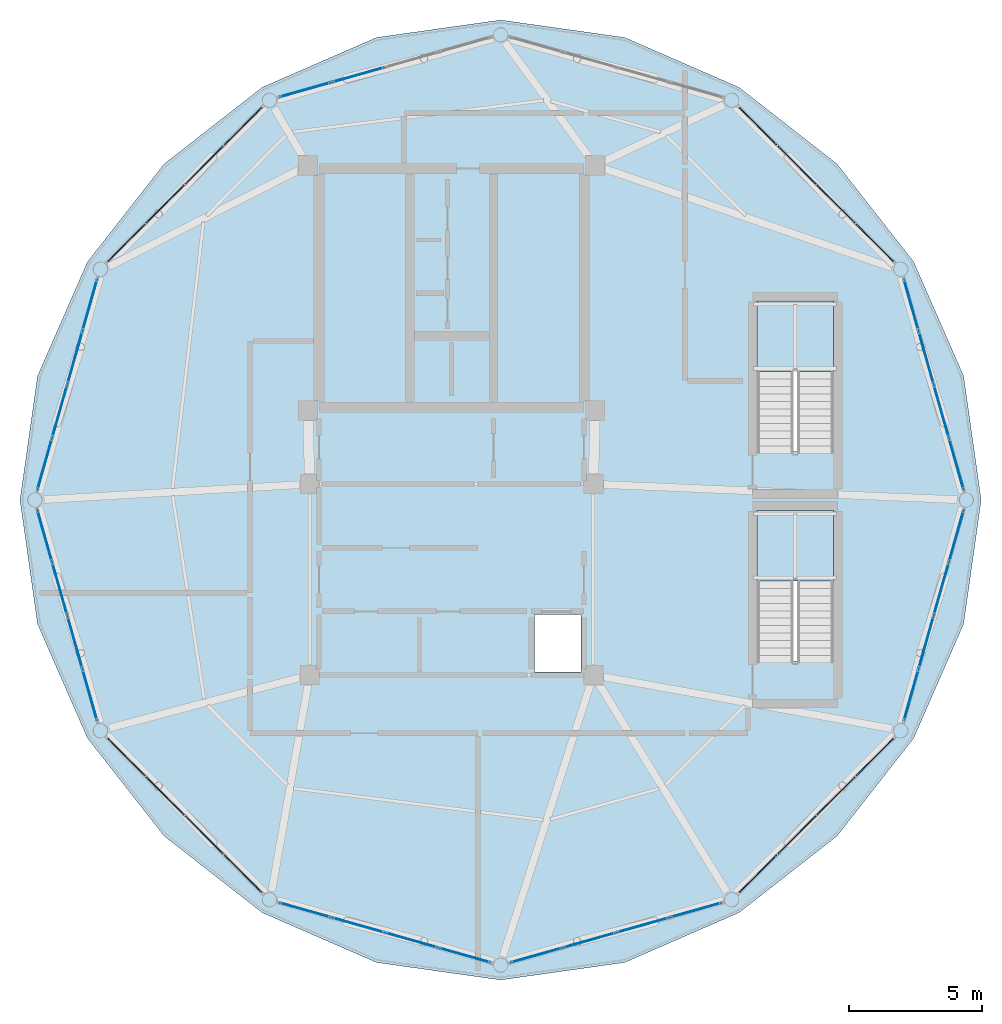
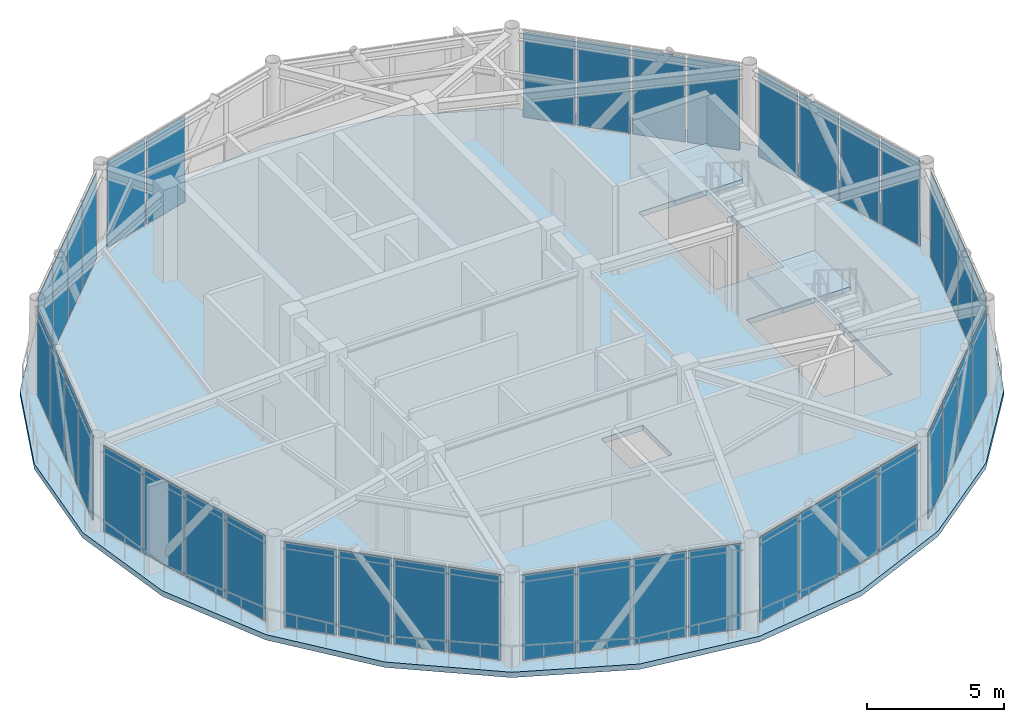
# One storey, part 16 of 21: 42 plates, 3 slabs, 13 elements without a shape of their own.
"""IFC4 building model written with IfcOpenShell, lengths in metres."""

from ifc_helpers import new_model, si_unit, direction, frame, origin, origin_2d, place, context, subcontext, project, spatial, polyline, rectangle, outline, extrude, source, transform, mapped, material, layer, layer_set, type_object, type_shapes, element, aggregate, save


model = new_model("IFC4")

# Units and contexts
model_context = context("Model", 3, precision=1e-05, world=origin(), true_north=direction((0.0, 1.0)))
body_context = subcontext(model_context, "Body", "Model", "MODEL_VIEW")
ifc_project = project(units=[si_unit("LENGTHUNIT", "METRE"), si_unit("AREAUNIT", "SQUARE_METRE"), si_unit("VOLUMEUNIT", "CUBIC_METRE"), si_unit("PLANEANGLEUNIT", "RADIAN"), si_unit("MASSUNIT", "GRAM", prefix="KILO")], contexts=[model_context])

# Site, building, storey
site_placement = place(None, origin())
site = spatial("IfcSite", under=ifc_project, at=site_placement, CompositionType="ELEMENT")
building_placement = place(site_placement, origin())
building = spatial("IfcBuilding", under=site, at=building_placement, Name="Varnakorn Sky Granary", CompositionType="ELEMENT")
storey_placement = place(building_placement, frame((0.0, 0.0, 298.199951171875)))
storey = spatial("IfcBuildingStorey", under=building, at=storey_placement, Name="L76", CompositionType="ELEMENT", Elevation=298.199951171875)

# Stair, slab
ifc_material_1 = material(Name="Concrete C40/50", Category="concrete")
stair_type = type_object("IfcStairType", Name="ST-CRWN-ASSEMBLY", PredefinedType="HALF_TURN_STAIR", material=ifc_material_1)
stair_1_placement = place(storey_placement, origin())
stair_1 = element("IfcStair", 1, at=stair_1_placement, inside=storey, type_object=stair_type, Name="L76 Crown North Exit Stair ST-C1", PredefinedType="HALF_TURN_STAIR")
ifc_layer_1 = layer(ifc_material_1, 0.199951171875, Name="Concrete C40/50")
ifc_layer_set_1 = layer_set([ifc_layer_1], Name="Concrete C40/50")
slab_type_1 = type_object("IfcSlabType", Name="ST-CRWN-LAND", PredefinedType="LANDING", material=ifc_layer_set_1)
slab_1_placement = place(storey_placement, frame((0.0, 0.0, 1.900146484375)))
slab_1 = element("IfcSlab", 2, at=slab_1_placement, type_object=slab_type_1, Name="ST-C1 landing 1", PredefinedType="LANDING", context=body_context, shape_type="SweptSolid", body=[
    extrude(outline(polyline([(17.39990234375, 4.840087890625), (17.39990234375, 7.5), (14.530029296875, 7.5), (14.530029296875, 4.840087890625), (17.39990234375, 4.840087890625)])), origin(), (0.0, 0.0, 1.0), 0.199951171875),
])
aggregate(stair_1, [slab_1])

stair_2_placement = place(storey_placement, origin())
stair_2 = element("IfcStair", 3, at=stair_2_placement, inside=storey, type_object=stair_type, Name="L76 Crown South Exit Stair ST-C2", PredefinedType="HALF_TURN_STAIR")
slab_2_placement = place(storey_placement, frame((0.0, 0.0, 1.900146484375)))
slab_2 = element("IfcSlab", 4, at=slab_2_placement, type_object=slab_type_1, Name="ST-C2 landing 1", PredefinedType="LANDING", context=body_context, shape_type="SweptSolid", body=[
    extrude(outline(polyline([(17.39990234375, -3.06005859375), (17.39990234375, -0.39990234375), (14.530029296875, -0.39990234375), (14.530029296875, -3.06005859375), (17.39990234375, -3.06005859375)])), origin(), (0.0, 0.0, 1.0), 0.199951171875),
])
aggregate(stair_2, [slab_2])

# Slab
ifc_material_2 = material(Name="Concrete C50/60", Category="concrete")
ifc_layer_2 = layer(ifc_material_2, 0.239990234375, Name="Concrete C50/60")
ifc_layer_set_2 = layer_set([ifc_layer_2], Name="Concrete C50/60")
slab_type_2 = type_object("IfcSlabType", Name="ST-SL-TWR-240", PredefinedType="FLOOR", material=ifc_layer_set_2)
slab_3_placement = place(storey_placement, frame((0.0, 0.0, -0.239990234375)))
element("IfcSlab", 5, at=slab_3_placement, inside=storey, type_object=slab_type_2, Name="Level L76 Structural Floor Slab", PredefinedType="FLOOR", context=body_context, shape_type="SweptSolid", body=[
    extrude(outline(polyline([(22.97900390625, 0.0), (22.31787109375, 4.6748046875), (20.433349609375, 8.986083984375), (17.5419921875, 12.67626953125), (13.846923828125, 15.564208984375), (9.530517578125, 17.446533203125), (4.85009765625, 18.10693359375), (0.16943359375, 17.446533203125), (-4.14697265625, 15.564208984375), (-7.841796875, 12.67626953125), (-10.7333984375, 8.986083984375), (-12.617919921875, 4.6748046875), (-13.279052734375, 0.0), (-12.617919921875, -4.6748046875), (-10.7333984375, -8.986083984375), (-7.841796875, -12.67626953125), (-4.14697265625, -15.564208984375), (0.16943359375, -17.446533203125), (4.85009765625, -18.10693359375), (9.530517578125, -17.446533203125), (13.846923828125, -15.564208984375), (17.5419921875, -12.67626953125), (20.433349609375, -8.986083984375), (22.31787109375, -4.6748046875), (22.97900390625, 0.0)]), holes=[polyline([(17.39990234375, 1.8349609375), (17.39990234375, 7.5), (14.530029296875, 7.5), (14.530029296875, 1.8349609375), (17.39990234375, 1.8349609375)]), polyline([(17.39990234375, -6.06494140625), (17.39990234375, -0.39990234375), (14.530029296875, -0.39990234375), (14.530029296875, -6.06494140625), (17.39990234375, -6.06494140625)]), polyline([(6.1201171875, -6.47998046875), (7.8798828125, -6.47998046875), (7.8798828125, -4.320068359375), (6.1201171875, -4.320068359375), (6.1201171875, -6.47998046875)])]), origin(), (0.0, 0.0, 1.0), 0.239990234375),
])

# Curtain wall, plate
ifc_material_3 = material(Name="Anodised Bronze Aluminium Alloy 6063-T6", Category="aluminium")
ifc_layer_3 = layer(ifc_material_3, 0.22998046875, Name="Anodised Bronze Aluminium Alloy 6063-T6")
ifc_layer_set_3 = layer_set([ifc_layer_3], Name="Anodised Bronze Aluminium Alloy 6063-T6")
curtain_wall_type = type_object("IfcCurtainWallType", Name="CW-LNT-1", PredefinedType="USERDEFINED", material=ifc_layer_set_3)
curtain_wall_1_placement = place(storey_placement, origin())
curtain_wall_1 = element("IfcCurtainWall", 6, at=curtain_wall_1_placement, inside=storey, type_object=curtain_wall_type, Name="Unitised Curtain Wall CW7 CW-L76-B04", ObjectType="CURTAIN WALL", PredefinedType="USERDEFINED")
ifc_material_4 = material(Name="Low-E Tinted Laminated Glass", Category="glass")
ifc_layer_4 = layer(ifc_material_4, 0.035888671875, Name="Low-E Tinted Laminated Glass")
ifc_layer_set_4 = layer_set([ifc_layer_4], Name="Low-E Tinted Laminated Glass")
plate_type = type_object("IfcPlateType", Name="CW-LNT-1-PNL", PredefinedType="CURTAIN_PANEL")
shared_shape_1 = source(origin(), body_context, "Body", "SweptSolid", [
    extrude(rectangle(XDim=1.98388671875, YDim=0.035888671875, at=origin_2d()), origin(), (0.0, 0.0, 1.0), 3.81005859375),
])
plate_1_placement = place(storey_placement, frame((-2.518798828125, 15.470947265625, 0.074951171875), z_axis=(0.0, 0.0, 1.0), x_axis=(0.962189359084, 0.272381418723, 0.0)))
plate_1 = element("IfcPlate", 7, at=plate_1_placement, type_object=plate_type, material=ifc_layer_set_4, Name="CW7 vision glazing unit 1.1", PredefinedType="CURTAIN_PANEL", context=body_context, shape_type="MappedRepresentation", body=[
    mapped(shared_shape_1, transform((0.0, 0.0, 0.0), x_axis=(1.0, 0.0, 0.0), y_axis=(0.0, 1.0, 0.0), z_axis=(0.0, 0.0, 1.0), scale=1.0)),
])

# Curtain wall, plates
curtain_wall_2_placement = place(storey_placement, origin())
curtain_wall_2 = element("IfcCurtainWall", 8, at=curtain_wall_2_placement, inside=storey, type_object=curtain_wall_type, Name="Unitised Curtain Wall CW7 CW-L76-B09", ObjectType="CURTAIN WALL", PredefinedType="USERDEFINED")
plate_2_placement = place(storey_placement, frame((3.49658203125, -17.173828125, 0.074951171875), z_axis=(0.0, 0.0, 1.0), x_axis=(-0.962189359084, 0.272381418723, 0.0)))
plate_2 = element("IfcPlate", 9, at=plate_2_placement, type_object=plate_type, material=ifc_layer_set_4, Name="CW7 vision glazing unit 1.1", PredefinedType="CURTAIN_PANEL", context=body_context, shape_type="MappedRepresentation", body=[
    mapped(shared_shape_1, transform((0.0, 0.0, 0.0), x_axis=(1.0, 0.0, 0.0), y_axis=(0.0, 1.0, 0.0), z_axis=(0.0, 0.0, 1.0), scale=1.0)),
])
plate_3_placement = place(storey_placement, frame((-2.518798828125, -15.470947265625, 0.074951171875), z_axis=(0.0, 0.0, 1.0), x_axis=(-0.962189359084, 0.272381418723, 0.0)))
plate_3 = element("IfcPlate", 10, at=plate_3_placement, type_object=plate_type, material=ifc_layer_set_4, Name="CW7 vision glazing unit 4.1", PredefinedType="CURTAIN_PANEL", context=body_context, shape_type="MappedRepresentation", body=[
    mapped(shared_shape_1, transform((0.0, 0.0, 0.0), x_axis=(1.0, 0.0, 0.0), y_axis=(0.0, 1.0, 0.0), z_axis=(0.0, 0.0, 1.0), scale=1.0)),
])

curtain_wall_3_placement = place(storey_placement, origin())
curtain_wall_3 = element("IfcCurtainWall", 11, at=curtain_wall_3_placement, inside=storey, type_object=curtain_wall_type, Name="Unitised Curtain Wall CW7 CW-L76-B10", ObjectType="CURTAIN WALL", PredefinedType="USERDEFINED")
plate_4_placement = place(storey_placement, frame((12.21875, -15.470947265625, 0.074951171875), z_axis=(0.0, 0.0, 1.0), x_axis=(-0.962189359084, -0.272381418723, 0.0)))
plate_4 = element("IfcPlate", 12, at=plate_4_placement, type_object=plate_type, material=ifc_layer_set_4, Name="CW7 vision glazing unit 1.1", PredefinedType="CURTAIN_PANEL", context=body_context, shape_type="MappedRepresentation", body=[
    mapped(shared_shape_1, transform((0.0, 0.0, 0.0), x_axis=(1.0, 0.0, 0.0), y_axis=(0.0, 1.0, 0.0), z_axis=(0.0, 0.0, 1.0), scale=1.0)),
])
plate_5_placement = place(storey_placement, frame((6.203369140625, -17.173828125, 0.074951171875), z_axis=(0.0, 0.0, 1.0), x_axis=(-0.962189359084, -0.272381418723, 0.0)))
plate_5 = element("IfcPlate", 13, at=plate_5_placement, type_object=plate_type, material=ifc_layer_set_4, Name="CW7 vision glazing unit 4.1", PredefinedType="CURTAIN_PANEL", context=body_context, shape_type="MappedRepresentation", body=[
    mapped(shared_shape_1, transform((0.0, 0.0, 0.0), x_axis=(1.0, 0.0, 0.0), y_axis=(0.0, 1.0, 0.0), z_axis=(0.0, 0.0, 1.0), scale=1.0)),
])

# Plate
ifc_material_5 = material(Name="Opaque Insulated Aluminium Shadow-Box Unit", Category="aluminium")
ifc_layer_5 = layer(ifc_material_5, 0.035888671875, Name="Opaque Insulated Aluminium Shadow-Box Unit")
ifc_layer_set_5 = layer_set([ifc_layer_5], Name="Opaque Insulated Aluminium Shadow-Box Unit")
shared_shape_2 = source(origin(), body_context, "Body", "SweptSolid", [
    extrude(rectangle(XDim=2.021484375, YDim=0.035888671875, at=origin_2d()), origin(), (0.0, 0.0, 1.0), 3.81005859375),
])
plate_6_placement = place(storey_placement, frame((-0.51953125, 16.036865234375, 0.074951171875), z_axis=(0.0, 0.0, 1.0), x_axis=(0.962189359084, 0.272381418723, 0.0)))
plate_6 = element("IfcPlate", 14, at=plate_6_placement, type_object=plate_type, material=ifc_layer_set_5, Name="CW7 opaque insulated shadow-box unit 2.1", PredefinedType="CURTAIN_PANEL", context=body_context, shape_type="MappedRepresentation", body=[
    mapped(shared_shape_2, transform((0.0, 0.0, 0.0), x_axis=(1.0, 0.0, 0.0), y_axis=(0.0, 1.0, 0.0), z_axis=(0.0, 0.0, 1.0), scale=1.0)),
])

aggregate(curtain_wall_1, [plate_1, plate_6])

plate_7_placement = place(storey_placement, frame((1.49755859375, -16.60791015625, 0.074951171875), z_axis=(0.0, 0.0, 1.0), x_axis=(-0.962189359084, 0.272381418723, 0.0)))
plate_7 = element("IfcPlate", 15, at=plate_7_placement, type_object=plate_type, material=ifc_layer_set_5, Name="CW7 opaque insulated shadow-box unit 2.1", PredefinedType="CURTAIN_PANEL", context=body_context, shape_type="MappedRepresentation", body=[
    mapped(shared_shape_2, transform((0.0, 0.0, 0.0), x_axis=(1.0, 0.0, 0.0), y_axis=(0.0, 1.0, 0.0), z_axis=(0.0, 0.0, 1.0), scale=1.0)),
])

plate_8_placement = place(storey_placement, frame((-0.51953125, -16.036865234375, 0.074951171875), z_axis=(0.0, 0.0, 1.0), x_axis=(-0.962189359084, 0.272381418723, 0.0)))
plate_8 = element("IfcPlate", 16, at=plate_8_placement, type_object=plate_type, material=ifc_layer_set_5, Name="CW7 opaque insulated shadow-box unit 3.1", PredefinedType="CURTAIN_PANEL", context=body_context, shape_type="MappedRepresentation", body=[
    mapped(shared_shape_2, transform((0.0, 0.0, 0.0), x_axis=(1.0, 0.0, 0.0), y_axis=(0.0, 1.0, 0.0), z_axis=(0.0, 0.0, 1.0), scale=1.0)),
])

aggregate(curtain_wall_2, [plate_2, plate_7, plate_8, plate_3])

plate_9_placement = place(storey_placement, frame((10.219482421875, -16.036865234375, 0.074951171875), z_axis=(0.0, 0.0, 1.0), x_axis=(-0.962189359084, -0.272381418723, 0.0)))
plate_9 = element("IfcPlate", 17, at=plate_9_placement, type_object=plate_type, material=ifc_layer_set_5, Name="CW7 opaque insulated shadow-box unit 2.1", PredefinedType="CURTAIN_PANEL", context=body_context, shape_type="MappedRepresentation", body=[
    mapped(shared_shape_2, transform((0.0, 0.0, 0.0), x_axis=(1.0, 0.0, 0.0), y_axis=(0.0, 1.0, 0.0), z_axis=(0.0, 0.0, 1.0), scale=1.0)),
])

plate_10_placement = place(storey_placement, frame((8.202392578125, -16.60791015625, 0.074951171875), z_axis=(0.0, 0.0, 1.0), x_axis=(-0.962189359084, -0.272381418723, 0.0)))
plate_10 = element("IfcPlate", 18, at=plate_10_placement, type_object=plate_type, material=ifc_layer_set_5, Name="CW7 opaque insulated shadow-box unit 3.1", PredefinedType="CURTAIN_PANEL", context=body_context, shape_type="MappedRepresentation", body=[
    mapped(shared_shape_2, transform((0.0, 0.0, 0.0), x_axis=(1.0, 0.0, 0.0), y_axis=(0.0, 1.0, 0.0), z_axis=(0.0, 0.0, 1.0), scale=1.0)),
])

aggregate(curtain_wall_3, [plate_4, plate_9, plate_10, plate_5])

# Curtain wall, plates
curtain_wall_4_placement = place(storey_placement, origin())
curtain_wall_4 = element("IfcCurtainWall", 19, at=curtain_wall_4_placement, inside=storey, type_object=curtain_wall_type, Name="Unitised Curtain Wall CW7 CW-L76-B01", ObjectType="CURTAIN WALL", PredefinedType="USERDEFINED")
shared_shape_3 = source(origin(), body_context, "Body", "SweptSolid", [
    extrude(rectangle(XDim=1.9814453125, YDim=0.035888671875, at=origin_2d()), origin(), (0.0, 0.0, 1.0), 3.81005859375),
])
plate_11_placement = place(storey_placement, frame((20.340576171875, 7.359130859375, 0.074951171875), z_axis=(0.0, 0.0, 1.0), x_axis=(0.273006671816, -0.962012139811, 0.0)))
plate_11 = element("IfcPlate", 20, at=plate_11_placement, type_object=plate_type, material=ifc_layer_set_4, Name="CW7 vision glazing unit 1.1", PredefinedType="CURTAIN_PANEL", context=body_context, shape_type="MappedRepresentation", body=[
    mapped(shared_shape_3, transform((0.0, 0.0, 0.0), x_axis=(1.0, 0.0, 0.0), y_axis=(0.0, 1.0, 0.0), z_axis=(0.0, 0.0, 1.0), scale=1.0)),
])
plate_12_placement = place(storey_placement, frame((22.04541015625, 1.351806640625, 0.074951171875), z_axis=(0.0, 0.0, 1.0), x_axis=(0.273006671816, -0.962012139811, 0.0)))
plate_12 = element("IfcPlate", 21, at=plate_12_placement, type_object=plate_type, material=ifc_layer_set_4, Name="CW7 vision glazing unit 4.1", PredefinedType="CURTAIN_PANEL", context=body_context, shape_type="MappedRepresentation", body=[
    mapped(shared_shape_3, transform((0.0, 0.0, 0.0), x_axis=(1.0, 0.0, 0.0), y_axis=(0.0, 1.0, 0.0), z_axis=(0.0, 0.0, 1.0), scale=1.0)),
])

curtain_wall_5_placement = place(storey_placement, origin())
curtain_wall_5 = element("IfcCurtainWall", 22, at=curtain_wall_5_placement, inside=storey, type_object=curtain_wall_type, Name="Unitised Curtain Wall CW7 CW-L76-B06", ObjectType="CURTAIN WALL", PredefinedType="USERDEFINED")
plate_13_placement = place(storey_placement, frame((-12.345458984375, 1.351806640625, 0.074951171875), z_axis=(0.0, 0.0, 1.0), x_axis=(0.273006671816, 0.962012139811, 0.0)))
plate_13 = element("IfcPlate", 23, at=plate_13_placement, type_object=plate_type, material=ifc_layer_set_4, Name="CW7 vision glazing unit 1.1", PredefinedType="CURTAIN_PANEL", context=body_context, shape_type="MappedRepresentation", body=[
    mapped(shared_shape_3, transform((0.0, 0.0, 0.0), x_axis=(1.0, 0.0, 0.0), y_axis=(0.0, 1.0, 0.0), z_axis=(0.0, 0.0, 1.0), scale=1.0)),
])
plate_14_placement = place(storey_placement, frame((-10.640625, 7.359130859375, 0.074951171875), z_axis=(0.0, 0.0, 1.0), x_axis=(0.273006671816, 0.962012139811, 0.0)))
plate_14 = element("IfcPlate", 24, at=plate_14_placement, type_object=plate_type, material=ifc_layer_set_4, Name="CW7 vision glazing unit 4.1", PredefinedType="CURTAIN_PANEL", context=body_context, shape_type="MappedRepresentation", body=[
    mapped(shared_shape_3, transform((0.0, 0.0, 0.0), x_axis=(1.0, 0.0, 0.0), y_axis=(0.0, 1.0, 0.0), z_axis=(0.0, 0.0, 1.0), scale=1.0)),
])

curtain_wall_6_placement = place(storey_placement, origin())
curtain_wall_6 = element("IfcCurtainWall", 25, at=curtain_wall_6_placement, inside=storey, type_object=curtain_wall_type, Name="Unitised Curtain Wall CW7 CW-L76-B07", ObjectType="CURTAIN WALL", PredefinedType="USERDEFINED")
plate_15_placement = place(storey_placement, frame((-10.640625, -7.359130859375, 0.074951171875), z_axis=(0.0, 0.0, 1.0), x_axis=(-0.273006671816, 0.962012139811, 0.0)))
plate_15 = element("IfcPlate", 26, at=plate_15_placement, type_object=plate_type, material=ifc_layer_set_4, Name="CW7 vision glazing unit 1.1", PredefinedType="CURTAIN_PANEL", context=body_context, shape_type="MappedRepresentation", body=[
    mapped(shared_shape_3, transform((0.0, 0.0, 0.0), x_axis=(1.0, 0.0, 0.0), y_axis=(0.0, 1.0, 0.0), z_axis=(0.0, 0.0, 1.0), scale=1.0)),
])
plate_16_placement = place(storey_placement, frame((-12.345458984375, -1.351806640625, 0.074951171875), z_axis=(0.0, 0.0, 1.0), x_axis=(-0.273006671816, 0.962012139811, 0.0)))
plate_16 = element("IfcPlate", 27, at=plate_16_placement, type_object=plate_type, material=ifc_layer_set_4, Name="CW7 vision glazing unit 4.1", PredefinedType="CURTAIN_PANEL", context=body_context, shape_type="MappedRepresentation", body=[
    mapped(shared_shape_3, transform((0.0, 0.0, 0.0), x_axis=(1.0, 0.0, 0.0), y_axis=(0.0, 1.0, 0.0), z_axis=(0.0, 0.0, 1.0), scale=1.0)),
])

curtain_wall_7_placement = place(storey_placement, origin())
curtain_wall_7 = element("IfcCurtainWall", 28, at=curtain_wall_7_placement, inside=storey, type_object=curtain_wall_type, Name="Unitised Curtain Wall CW7 CW-L76-B12", ObjectType="CURTAIN WALL", PredefinedType="USERDEFINED")
plate_17_placement = place(storey_placement, frame((22.04541015625, -1.351806640625, 0.074951171875), z_axis=(0.0, 0.0, 1.0), x_axis=(-0.273006671816, -0.962012139811, 0.0)))
plate_17 = element("IfcPlate", 29, at=plate_17_placement, type_object=plate_type, material=ifc_layer_set_4, Name="CW7 vision glazing unit 1.1", PredefinedType="CURTAIN_PANEL", context=body_context, shape_type="MappedRepresentation", body=[
    mapped(shared_shape_3, transform((0.0, 0.0, 0.0), x_axis=(1.0, 0.0, 0.0), y_axis=(0.0, 1.0, 0.0), z_axis=(0.0, 0.0, 1.0), scale=1.0)),
])
plate_18_placement = place(storey_placement, frame((20.340576171875, -7.359130859375, 0.074951171875), z_axis=(0.0, 0.0, 1.0), x_axis=(-0.273006671816, -0.962012139811, 0.0)))
plate_18 = element("IfcPlate", 30, at=plate_18_placement, type_object=plate_type, material=ifc_layer_set_4, Name="CW7 vision glazing unit 4.1", PredefinedType="CURTAIN_PANEL", context=body_context, shape_type="MappedRepresentation", body=[
    mapped(shared_shape_3, transform((0.0, 0.0, 0.0), x_axis=(1.0, 0.0, 0.0), y_axis=(0.0, 1.0, 0.0), z_axis=(0.0, 0.0, 1.0), scale=1.0)),
])

# Plate
shared_shape_4 = source(origin(), body_context, "Body", "SweptSolid", [
    extrude(rectangle(XDim=2.01904296875, YDim=0.035888671875, at=origin_2d()), origin(), (0.0, 0.0, 1.0), 3.81005859375),
])
plate_19_placement = place(storey_placement, frame((20.9072265625, 5.36279296875, 0.074951171875), z_axis=(0.0, 0.0, 1.0), x_axis=(0.273006671816, -0.962012139811, 0.0)))
plate_19 = element("IfcPlate", 31, at=plate_19_placement, type_object=plate_type, material=ifc_layer_set_5, Name="CW7 opaque insulated shadow-box unit 2.1", PredefinedType="CURTAIN_PANEL", context=body_context, shape_type="MappedRepresentation", body=[
    mapped(shared_shape_4, transform((0.0, 0.0, 0.0), x_axis=(1.0, 0.0, 0.0), y_axis=(0.0, 1.0, 0.0), z_axis=(0.0, 0.0, 1.0), scale=1.0)),
])

plate_20_placement = place(storey_placement, frame((21.478759765625, 3.348388671875, 0.074951171875), z_axis=(0.0, 0.0, 1.0), x_axis=(0.273006671816, -0.962012139811, 0.0)))
plate_20 = element("IfcPlate", 32, at=plate_20_placement, type_object=plate_type, material=ifc_layer_set_5, Name="CW7 opaque insulated shadow-box unit 3.1", PredefinedType="CURTAIN_PANEL", context=body_context, shape_type="MappedRepresentation", body=[
    mapped(shared_shape_4, transform((0.0, 0.0, 0.0), x_axis=(1.0, 0.0, 0.0), y_axis=(0.0, 1.0, 0.0), z_axis=(0.0, 0.0, 1.0), scale=1.0)),
])

aggregate(curtain_wall_4, [plate_11, plate_19, plate_20, plate_12])

plate_21_placement = place(storey_placement, frame((-11.77880859375, 3.348388671875, 0.074951171875), z_axis=(0.0, 0.0, 1.0), x_axis=(0.273006671816, 0.962012139811, 0.0)))
plate_21 = element("IfcPlate", 33, at=plate_21_placement, type_object=plate_type, material=ifc_layer_set_5, Name="CW7 opaque insulated shadow-box unit 2.1", PredefinedType="CURTAIN_PANEL", context=body_context, shape_type="MappedRepresentation", body=[
    mapped(shared_shape_4, transform((0.0, 0.0, 0.0), x_axis=(1.0, 0.0, 0.0), y_axis=(0.0, 1.0, 0.0), z_axis=(0.0, 0.0, 1.0), scale=1.0)),
])

plate_22_placement = place(storey_placement, frame((-11.20703125, 5.36279296875, 0.074951171875), z_axis=(0.0, 0.0, 1.0), x_axis=(0.273006671816, 0.962012139811, 0.0)))
plate_22 = element("IfcPlate", 34, at=plate_22_placement, type_object=plate_type, material=ifc_layer_set_5, Name="CW7 opaque insulated shadow-box unit 3.1", PredefinedType="CURTAIN_PANEL", context=body_context, shape_type="MappedRepresentation", body=[
    mapped(shared_shape_4, transform((0.0, 0.0, 0.0), x_axis=(1.0, 0.0, 0.0), y_axis=(0.0, 1.0, 0.0), z_axis=(0.0, 0.0, 1.0), scale=1.0)),
])

aggregate(curtain_wall_5, [plate_13, plate_21, plate_22, plate_14])

plate_23_placement = place(storey_placement, frame((-11.20703125, -5.36279296875, 0.074951171875), z_axis=(0.0, 0.0, 1.0), x_axis=(-0.273006671816, 0.962012139811, 0.0)))
plate_23 = element("IfcPlate", 35, at=plate_23_placement, type_object=plate_type, material=ifc_layer_set_5, Name="CW7 opaque insulated shadow-box unit 2.1", PredefinedType="CURTAIN_PANEL", context=body_context, shape_type="MappedRepresentation", body=[
    mapped(shared_shape_4, transform((0.0, 0.0, 0.0), x_axis=(1.0, 0.0, 0.0), y_axis=(0.0, 1.0, 0.0), z_axis=(0.0, 0.0, 1.0), scale=1.0)),
])

plate_24_placement = place(storey_placement, frame((-11.77880859375, -3.348388671875, 0.074951171875), z_axis=(0.0, 0.0, 1.0), x_axis=(-0.273006671816, 0.962012139811, 0.0)))
plate_24 = element("IfcPlate", 36, at=plate_24_placement, type_object=plate_type, material=ifc_layer_set_5, Name="CW7 opaque insulated shadow-box unit 3.1", PredefinedType="CURTAIN_PANEL", context=body_context, shape_type="MappedRepresentation", body=[
    mapped(shared_shape_4, transform((0.0, 0.0, 0.0), x_axis=(1.0, 0.0, 0.0), y_axis=(0.0, 1.0, 0.0), z_axis=(0.0, 0.0, 1.0), scale=1.0)),
])

aggregate(curtain_wall_6, [plate_15, plate_23, plate_24, plate_16])

plate_25_placement = place(storey_placement, frame((21.478759765625, -3.348388671875, 0.074951171875), z_axis=(0.0, 0.0, 1.0), x_axis=(-0.273006671816, -0.962012139811, 0.0)))
plate_25 = element("IfcPlate", 37, at=plate_25_placement, type_object=plate_type, material=ifc_layer_set_5, Name="CW7 opaque insulated shadow-box unit 2.1", PredefinedType="CURTAIN_PANEL", context=body_context, shape_type="MappedRepresentation", body=[
    mapped(shared_shape_4, transform((0.0, 0.0, 0.0), x_axis=(1.0, 0.0, 0.0), y_axis=(0.0, 1.0, 0.0), z_axis=(0.0, 0.0, 1.0), scale=1.0)),
])

plate_26_placement = place(storey_placement, frame((20.9072265625, -5.36279296875, 0.074951171875), z_axis=(0.0, 0.0, 1.0), x_axis=(-0.273006671816, -0.962012139811, 0.0)))
plate_26 = element("IfcPlate", 38, at=plate_26_placement, type_object=plate_type, material=ifc_layer_set_5, Name="CW7 opaque insulated shadow-box unit 3.1", PredefinedType="CURTAIN_PANEL", context=body_context, shape_type="MappedRepresentation", body=[
    mapped(shared_shape_4, transform((0.0, 0.0, 0.0), x_axis=(1.0, 0.0, 0.0), y_axis=(0.0, 1.0, 0.0), z_axis=(0.0, 0.0, 1.0), scale=1.0)),
])

aggregate(curtain_wall_7, [plate_17, plate_25, plate_26, plate_18])

# Curtain wall, plates
curtain_wall_8_placement = place(storey_placement, origin())
curtain_wall_8 = element("IfcCurtainWall", 39, at=curtain_wall_8_placement, inside=storey, type_object=curtain_wall_type, Name="Unitised Curtain Wall CW7 CW-L76-B02", ObjectType="CURTAIN WALL", PredefinedType="USERDEFINED")
shared_shape_5 = source(origin(), body_context, "Body", "SweptSolid", [
    extrude(rectangle(XDim=1.9736328125, YDim=0.035888671875, at=origin_2d()), origin(), (0.0, 0.0, 1.0), 3.81005859375),
])
plate_27_placement = place(storey_placement, frame((14.5634765625, 14.09765625, 0.074951171875), z_axis=(0.0, 0.0, 1.0), x_axis=(0.707550021813, -0.706663262546, 0.0)))
plate_27 = element("IfcPlate", 40, at=plate_27_placement, type_object=plate_type, material=ifc_layer_set_4, Name="CW7 vision glazing unit 1.1", PredefinedType="CURTAIN_PANEL", context=body_context, shape_type="MappedRepresentation", body=[
    mapped(shared_shape_5, transform((0.0, 0.0, 0.0), x_axis=(1.0, 0.0, 0.0), y_axis=(0.0, 1.0, 0.0), z_axis=(0.0, 0.0, 1.0), scale=1.0)),
])
plate_28_placement = place(storey_placement, frame((18.96533203125, 9.701171875, 0.074951171875), z_axis=(0.0, 0.0, 1.0), x_axis=(0.707550021813, -0.706663262546, 0.0)))
plate_28 = element("IfcPlate", 41, at=plate_28_placement, type_object=plate_type, material=ifc_layer_set_4, Name="CW7 vision glazing unit 4.1", PredefinedType="CURTAIN_PANEL", context=body_context, shape_type="MappedRepresentation", body=[
    mapped(shared_shape_5, transform((0.0, 0.0, 0.0), x_axis=(1.0, 0.0, 0.0), y_axis=(0.0, 1.0, 0.0), z_axis=(0.0, 0.0, 1.0), scale=1.0)),
])

curtain_wall_9_placement = place(storey_placement, origin())
curtain_wall_9 = element("IfcCurtainWall", 42, at=curtain_wall_9_placement, inside=storey, type_object=curtain_wall_type, Name="Unitised Curtain Wall CW7 CW-L76-B05", ObjectType="CURTAIN WALL", PredefinedType="USERDEFINED")
plate_29_placement = place(storey_placement, frame((-9.265380859375, 9.701171875, 0.074951171875), z_axis=(0.0, 0.0, 1.0), x_axis=(0.707550021813, 0.706663262546, 0.0)))
plate_29 = element("IfcPlate", 43, at=plate_29_placement, type_object=plate_type, material=ifc_layer_set_4, Name="CW7 vision glazing unit 1.1", PredefinedType="CURTAIN_PANEL", context=body_context, shape_type="MappedRepresentation", body=[
    mapped(shared_shape_5, transform((0.0, 0.0, 0.0), x_axis=(1.0, 0.0, 0.0), y_axis=(0.0, 1.0, 0.0), z_axis=(0.0, 0.0, 1.0), scale=1.0)),
])
plate_30_placement = place(storey_placement, frame((-4.863525390625, 14.09765625, 0.074951171875), z_axis=(0.0, 0.0, 1.0), x_axis=(0.707550021813, 0.706663262546, 0.0)))
plate_30 = element("IfcPlate", 44, at=plate_30_placement, type_object=plate_type, material=ifc_layer_set_4, Name="CW7 vision glazing unit 4.1", PredefinedType="CURTAIN_PANEL", context=body_context, shape_type="MappedRepresentation", body=[
    mapped(shared_shape_5, transform((0.0, 0.0, 0.0), x_axis=(1.0, 0.0, 0.0), y_axis=(0.0, 1.0, 0.0), z_axis=(0.0, 0.0, 1.0), scale=1.0)),
])

curtain_wall_10_placement = place(storey_placement, origin())
curtain_wall_10 = element("IfcCurtainWall", 45, at=curtain_wall_10_placement, inside=storey, type_object=curtain_wall_type, Name="Unitised Curtain Wall CW7 CW-L76-B08", ObjectType="CURTAIN WALL", PredefinedType="USERDEFINED")
plate_31_placement = place(storey_placement, frame((-4.863525390625, -14.09765625, 0.074951171875), z_axis=(0.0, 0.0, 1.0), x_axis=(-0.707550021813, 0.706663262546, 0.0)))
plate_31 = element("IfcPlate", 46, at=plate_31_placement, type_object=plate_type, material=ifc_layer_set_4, Name="CW7 vision glazing unit 1.1", PredefinedType="CURTAIN_PANEL", context=body_context, shape_type="MappedRepresentation", body=[
    mapped(shared_shape_5, transform((0.0, 0.0, 0.0), x_axis=(1.0, 0.0, 0.0), y_axis=(0.0, 1.0, 0.0), z_axis=(0.0, 0.0, 1.0), scale=1.0)),
])
plate_32_placement = place(storey_placement, frame((-9.265380859375, -9.701171875, 0.074951171875), z_axis=(0.0, 0.0, 1.0), x_axis=(-0.707550021813, 0.706663262546, 0.0)))
plate_32 = element("IfcPlate", 47, at=plate_32_placement, type_object=plate_type, material=ifc_layer_set_4, Name="CW7 vision glazing unit 4.1", PredefinedType="CURTAIN_PANEL", context=body_context, shape_type="MappedRepresentation", body=[
    mapped(shared_shape_5, transform((0.0, 0.0, 0.0), x_axis=(1.0, 0.0, 0.0), y_axis=(0.0, 1.0, 0.0), z_axis=(0.0, 0.0, 1.0), scale=1.0)),
])

curtain_wall_11_placement = place(storey_placement, origin())
curtain_wall_11 = element("IfcCurtainWall", 48, at=curtain_wall_11_placement, inside=storey, type_object=curtain_wall_type, Name="Unitised Curtain Wall CW7 CW-L76-B11", ObjectType="CURTAIN WALL", PredefinedType="USERDEFINED")
plate_33_placement = place(storey_placement, frame((18.96533203125, -9.701171875, 0.074951171875), z_axis=(0.0, 0.0, 1.0), x_axis=(-0.707550021813, -0.706663262546, 0.0)))
plate_33 = element("IfcPlate", 49, at=plate_33_placement, type_object=plate_type, material=ifc_layer_set_4, Name="CW7 vision glazing unit 1.1", PredefinedType="CURTAIN_PANEL", context=body_context, shape_type="MappedRepresentation", body=[
    mapped(shared_shape_5, transform((0.0, 0.0, 0.0), x_axis=(1.0, 0.0, 0.0), y_axis=(0.0, 1.0, 0.0), z_axis=(0.0, 0.0, 1.0), scale=1.0)),
])
plate_34_placement = place(storey_placement, frame((14.5634765625, -14.09765625, 0.074951171875), z_axis=(0.0, 0.0, 1.0), x_axis=(-0.707550021813, -0.706663262546, 0.0)))
plate_34 = element("IfcPlate", 50, at=plate_34_placement, type_object=plate_type, material=ifc_layer_set_4, Name="CW7 vision glazing unit 4.1", PredefinedType="CURTAIN_PANEL", context=body_context, shape_type="MappedRepresentation", body=[
    mapped(shared_shape_5, transform((0.0, 0.0, 0.0), x_axis=(1.0, 0.0, 0.0), y_axis=(0.0, 1.0, 0.0), z_axis=(0.0, 0.0, 1.0), scale=1.0)),
])

# Plate
shared_shape_6 = source(origin(), body_context, "Body", "SweptSolid", [
    extrude(rectangle(XDim=2.01123046875, YDim=0.035888671875, at=origin_2d()), origin(), (0.0, 0.0, 1.0), 3.81005859375),
])
type_shapes(plate_type, [shared_shape_1, shared_shape_2, shared_shape_3, shared_shape_4, shared_shape_5, shared_shape_6])
plate_35_placement = place(storey_placement, frame((16.0263671875, 12.636474609375, 0.074951171875), z_axis=(0.0, 0.0, 1.0), x_axis=(0.707550021813, -0.706663262546, 0.0)))
plate_35 = element("IfcPlate", 51, at=plate_35_placement, type_object=plate_type, material=ifc_layer_set_5, Name="CW7 opaque insulated shadow-box unit 2.1", PredefinedType="CURTAIN_PANEL", context=body_context, shape_type="MappedRepresentation", body=[
    mapped(shared_shape_6, transform((0.0, 0.0, 0.0), x_axis=(1.0, 0.0, 0.0), y_axis=(0.0, 1.0, 0.0), z_axis=(0.0, 0.0, 1.0), scale=1.0)),
])

plate_36_placement = place(storey_placement, frame((17.50244140625, 11.162353515625, 0.074951171875), z_axis=(0.0, 0.0, 1.0), x_axis=(0.707550021813, -0.706663262546, 0.0)))
plate_36 = element("IfcPlate", 52, at=plate_36_placement, type_object=plate_type, material=ifc_layer_set_5, Name="CW7 opaque insulated shadow-box unit 3.1", PredefinedType="CURTAIN_PANEL", context=body_context, shape_type="MappedRepresentation", body=[
    mapped(shared_shape_6, transform((0.0, 0.0, 0.0), x_axis=(1.0, 0.0, 0.0), y_axis=(0.0, 1.0, 0.0), z_axis=(0.0, 0.0, 1.0), scale=1.0)),
])

aggregate(curtain_wall_8, [plate_27, plate_35, plate_36, plate_28])

plate_37_placement = place(storey_placement, frame((-7.802490234375, 11.162353515625, 0.074951171875), z_axis=(0.0, 0.0, 1.0), x_axis=(0.707550021813, 0.706663262546, 0.0)))
plate_37 = element("IfcPlate", 53, at=plate_37_placement, type_object=plate_type, material=ifc_layer_set_5, Name="CW7 opaque insulated shadow-box unit 2.1", PredefinedType="CURTAIN_PANEL", context=body_context, shape_type="MappedRepresentation", body=[
    mapped(shared_shape_6, transform((0.0, 0.0, 0.0), x_axis=(1.0, 0.0, 0.0), y_axis=(0.0, 1.0, 0.0), z_axis=(0.0, 0.0, 1.0), scale=1.0)),
])

plate_38_placement = place(storey_placement, frame((-6.326416015625, 12.636474609375, 0.074951171875), z_axis=(0.0, 0.0, 1.0), x_axis=(0.707550021813, 0.706663262546, 0.0)))
plate_38 = element("IfcPlate", 54, at=plate_38_placement, type_object=plate_type, material=ifc_layer_set_5, Name="CW7 opaque insulated shadow-box unit 3.1", PredefinedType="CURTAIN_PANEL", context=body_context, shape_type="MappedRepresentation", body=[
    mapped(shared_shape_6, transform((0.0, 0.0, 0.0), x_axis=(1.0, 0.0, 0.0), y_axis=(0.0, 1.0, 0.0), z_axis=(0.0, 0.0, 1.0), scale=1.0)),
])

aggregate(curtain_wall_9, [plate_29, plate_37, plate_38, plate_30])

plate_39_placement = place(storey_placement, frame((-6.326416015625, -12.636474609375, 0.074951171875), z_axis=(0.0, 0.0, 1.0), x_axis=(-0.707550021813, 0.706663262546, 0.0)))
plate_39 = element("IfcPlate", 55, at=plate_39_placement, type_object=plate_type, material=ifc_layer_set_5, Name="CW7 opaque insulated shadow-box unit 2.1", PredefinedType="CURTAIN_PANEL", context=body_context, shape_type="MappedRepresentation", body=[
    mapped(shared_shape_6, transform((0.0, 0.0, 0.0), x_axis=(1.0, 0.0, 0.0), y_axis=(0.0, 1.0, 0.0), z_axis=(0.0, 0.0, 1.0), scale=1.0)),
])

plate_40_placement = place(storey_placement, frame((-7.802490234375, -11.162353515625, 0.074951171875), z_axis=(0.0, 0.0, 1.0), x_axis=(-0.707550021813, 0.706663262546, 0.0)))
plate_40 = element("IfcPlate", 56, at=plate_40_placement, type_object=plate_type, material=ifc_layer_set_5, Name="CW7 opaque insulated shadow-box unit 3.1", PredefinedType="CURTAIN_PANEL", context=body_context, shape_type="MappedRepresentation", body=[
    mapped(shared_shape_6, transform((0.0, 0.0, 0.0), x_axis=(1.0, 0.0, 0.0), y_axis=(0.0, 1.0, 0.0), z_axis=(0.0, 0.0, 1.0), scale=1.0)),
])

aggregate(curtain_wall_10, [plate_31, plate_39, plate_40, plate_32])

plate_41_placement = place(storey_placement, frame((17.50244140625, -11.162353515625, 0.074951171875), z_axis=(0.0, 0.0, 1.0), x_axis=(-0.707550021813, -0.706663262546, 0.0)))
plate_41 = element("IfcPlate", 57, at=plate_41_placement, type_object=plate_type, material=ifc_layer_set_5, Name="CW7 opaque insulated shadow-box unit 2.1", PredefinedType="CURTAIN_PANEL", context=body_context, shape_type="MappedRepresentation", body=[
    mapped(shared_shape_6, transform((0.0, 0.0, 0.0), x_axis=(1.0, 0.0, 0.0), y_axis=(0.0, 1.0, 0.0), z_axis=(0.0, 0.0, 1.0), scale=1.0)),
])

plate_42_placement = place(storey_placement, frame((16.0263671875, -12.636474609375, 0.074951171875), z_axis=(0.0, 0.0, 1.0), x_axis=(-0.707550021813, -0.706663262546, 0.0)))
plate_42 = element("IfcPlate", 58, at=plate_42_placement, type_object=plate_type, material=ifc_layer_set_5, Name="CW7 opaque insulated shadow-box unit 3.1", PredefinedType="CURTAIN_PANEL", context=body_context, shape_type="MappedRepresentation", body=[
    mapped(shared_shape_6, transform((0.0, 0.0, 0.0), x_axis=(1.0, 0.0, 0.0), y_axis=(0.0, 1.0, 0.0), z_axis=(0.0, 0.0, 1.0), scale=1.0)),
])

aggregate(curtain_wall_11, [plate_33, plate_41, plate_42, plate_34])

save(model, "model.ifc")
